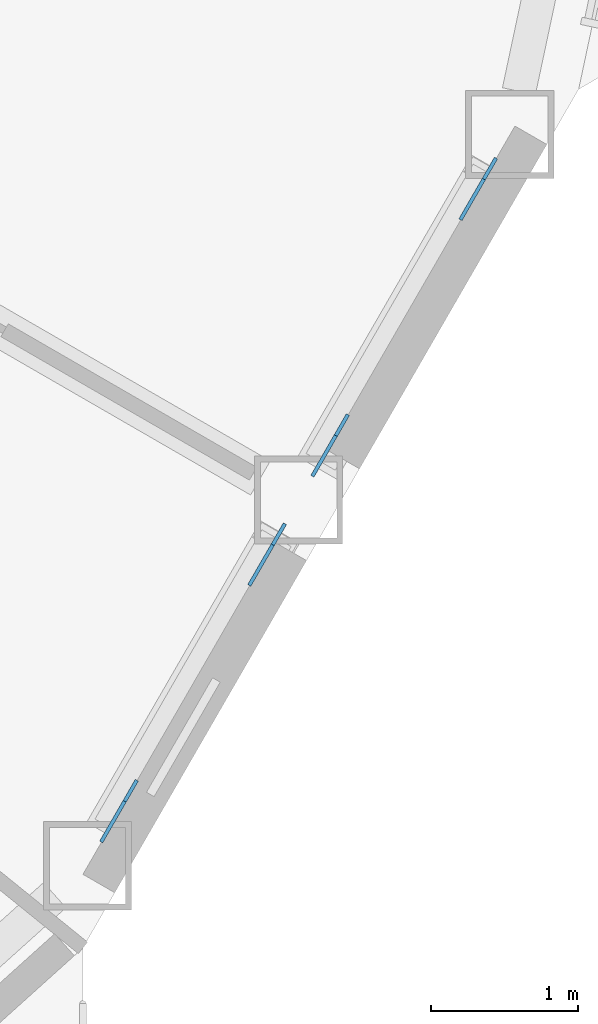
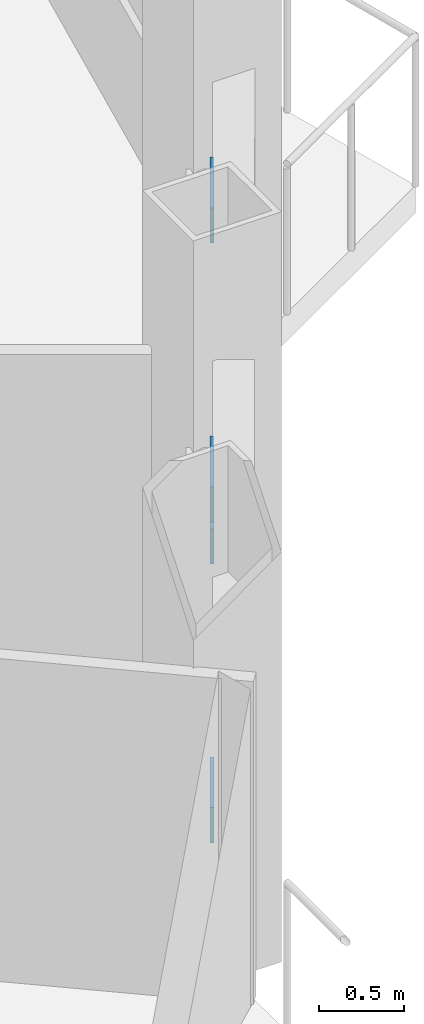
# One storey, part 21 of 27: 4 discrete accessories.
"""IFC4 building model written with IfcOpenShell, lengths in metres."""

import ifcopenshell
import ifcopenshell.guid

model = None  # the IFC model being written
_history = None  # IfcOwnerHistory: only IFC2X3 demands one
_inside = {}  # id of a spatial element -> (the spatial element, [elements in it])
_under = {}  # id of a project, library or spatial element -> (it, [spatial elements below it])
_declared = {}  # id of a project -> (the project, [libraries it declares])
_typed = {}  # id of a type object -> (the type object, [elements of that type])
_made_of = {}  # id of a material, layer set ... -> (it, [elements and type objects made of it])


def new_model(schema):
    """Start an empty IFC model of exactly this schema.

    Asked for "IFC4X3", IfcOpenShell would pick the latest addendum, in which some entities
    have other attributes; the version numbers below select the first issue.
    IFC2X3 requires an IfcOwnerHistory on every rooted entity: one is made here for all.
    """
    global model, _history
    if schema == "IFC4X3":
        model = ifcopenshell.file(schema_version=(4, 3, 0, 0))
    else:
        model = ifcopenshell.file(schema=schema)
    _inside.clear()
    _under.clear()
    _declared.clear()
    _typed.clear()
    _made_of.clear()
    _history = None
    if model.schema == "IFC2X3":
        org = make("IfcOrganization", Name="unknown")
        user = make(
            "IfcPersonAndOrganization",
            ThePerson=make("IfcPerson", FamilyName="unknown"),
            TheOrganization=org,
        )
        app = make(
            "IfcApplication",
            ApplicationDeveloper=org,
            Version="unknown",
            ApplicationFullName="unknown",
            ApplicationIdentifier="unknown",
        )
        _history = make(
            "IfcOwnerHistory",
            OwningUser=user,
            OwningApplication=app,
            ChangeAction="ADDED",
            CreationDate=0,
        )
    return model


def make(cls, **values):
    """One entity of the class cls with the attributes given. An attribute that is None is left unset."""
    return model.create_entity(
        cls, **{name: value for name, value in values.items() if value is not None}
    )


def rooted(cls, **values):
    """An entity with a GlobalId (a new one), such as an element, a storey or a relation."""
    return make(cls, GlobalId=ifcopenshell.guid.new(), OwnerHistory=_history, **values)


def si_unit(unit_type, name, prefix=None):
    """IfcSIUnit, for example si_unit("LENGTHUNIT", "METRE", prefix="MILLI")."""
    return make("IfcSIUnit", UnitType=unit_type, Prefix=prefix, Name=name)


def assignment(units):
    """IfcUnitAssignment: the units of a project."""
    return None if units is None else make("IfcUnitAssignment", Units=units)


def point(xyz):
    """IfcCartesianPoint."""
    return None if xyz is None else make("IfcCartesianPoint", Coordinates=xyz)


def direction(xyz):
    """IfcDirection."""
    return None if xyz is None else make("IfcDirection", DirectionRatios=xyz)


def frame(location, z_axis=None, x_axis=None):
    """IfcAxis2Placement3D, a coordinate frame: its origin and axes. An axis left out is left unset."""
    return make(
        "IfcAxis2Placement3D",
        Location=point(location),
        Axis=direction(z_axis),
        RefDirection=direction(x_axis),
    )


def frame_2d(location, x_axis=None):
    """IfcAxis2Placement2D, a coordinate frame in the plane: its origin and x axis."""
    return make(
        "IfcAxis2Placement2D", Location=point(location), RefDirection=direction(x_axis)
    )


def origin():
    """The frame at (0, 0, 0) with its axes left unset."""
    return frame((0.0, 0.0, 0.0))


def origin_2d():
    """The frame at (0, 0) in the plane with its x axis left unset."""
    return frame_2d((0.0, 0.0))


def place(relative_to, where):
    """IfcLocalPlacement: puts the frame where relative to a parent placement (None: the world)."""
    return make(
        "IfcLocalPlacement", PlacementRelTo=relative_to, RelativePlacement=where
    )


def context(
    kind, dimensions, precision=None, world=None, true_north=None, identifier=None
):
    """IfcGeometricRepresentationContext, for example the 3D "Model" context."""
    return make(
        "IfcGeometricRepresentationContext",
        ContextIdentifier=identifier,
        ContextType=kind,
        CoordinateSpaceDimension=dimensions,
        Precision=precision,
        WorldCoordinateSystem=world,
        TrueNorth=true_north,
    )


def subcontext(parent, identifier, kind, view, scale=None):
    """IfcGeometricRepresentationSubContext, for example "Body" below "Model"."""
    return make(
        "IfcGeometricRepresentationSubContext",
        ContextIdentifier=identifier,
        ContextType=kind,
        ParentContext=parent,
        TargetScale=scale,
        TargetView=view,
    )


def project(units=None, contexts=None):
    """IfcProject with its units and contexts."""
    return rooted(
        "IfcProject",
        Name="project",
        RepresentationContexts=contexts,
        UnitsInContext=assignment(units),
    )


def spatial(cls, under=None, at=None, **own):
    """A site, building, storey or space (cls), placed at a placement, below another one or the project."""
    s = rooted(cls, ObjectPlacement=at, **own)
    if under is not None:
        _under.setdefault(under.id(), (under, []))[1].append(s)
    return s


def profile(cls, at=None, kind="AREA", **sizes):
    """A parametric profile (cls). Its sizes go by their IFC names, for example OverallWidth=200.0."""
    return make(cls, ProfileType=kind, Position=at, **sizes)


def rectangle(**sizes):
    """IfcRectangleProfileDef."""
    return profile("IfcRectangleProfileDef", **sizes)


def extrude(swept, where, along, depth):
    """IfcExtrudedAreaSolid: the profile swept, set in the frame where, extruded along a direction by depth."""
    return make(
        "IfcExtrudedAreaSolid",
        SweptArea=swept,
        Position=where,
        ExtrudedDirection=direction(along),
        Depth=depth,
    )


def shape(context_of_items, identifier, shape_type, items):
    """IfcShapeRepresentation: the items that make up one representation, for example the "Body"."""
    return make(
        "IfcShapeRepresentation",
        ContextOfItems=context_of_items,
        RepresentationIdentifier=identifier,
        RepresentationType=shape_type,
        Items=items,
    )


def material(Name=None, Category=None):
    """IfcMaterial."""
    return make("IfcMaterial", Name=Name, Category=Category)


def material_profile(
    of_material, cross_section, Name=None, Category=None, Priority=None
):
    """IfcMaterialProfile: a cross section and its material."""
    return make(
        "IfcMaterialProfile",
        Name=Name,
        Material=of_material,
        Profile=cross_section,
        Priority=Priority,
        Category=Category,
    )


def profile_set(profiles, Name=None, composite=None):
    """IfcMaterialProfileSet."""
    return make(
        "IfcMaterialProfileSet",
        Name=Name,
        MaterialProfiles=profiles,
        CompositeProfile=composite,
    )


def made_of(thing, what):
    """Note that an element or type object is made of a material, layer set ...; save() writes the relation."""
    if what is not None:
        _made_of.setdefault(what.id(), (what, []))[1].append(thing)
    return thing


def type_object(cls, material=None, **own):
    """A type object (cls), such as IfcWallType, which elements share."""
    return made_of(rooted(cls, **own), material)


def element(
    cls,
    number,
    at=None,
    inside=None,
    cuts=None,
    type_object=None,
    material=None,
    context=None,
    identifier="Body",
    shape_type=None,
    held_by="IfcProductDefinitionShape",
    body=None,
    shapes=None,
    **own,
):
    """One element of the class cls, such as IfcWall. Its Tag is "e" and its number.

    at: its placement. inside: the storey or other place that contains it. cuts: it is an
    opening in that element (IfcRelVoidsElement). A single representation is given by context,
    identifier, shape_type and body (its items); several are given by shapes. held_by: the class
    of the entity that holds the representations. save() writes the other relations.
    """
    e = rooted(cls, Tag="e%d" % number, ObjectPlacement=at, **own)
    if body is not None:
        shapes = [shape(context, identifier, shape_type, body)]
    if shapes is not None:
        e.Representation = make(held_by, Representations=shapes)
    if inside is not None:
        _inside.setdefault(inside.id(), (inside, []))[1].append(e)
    if cuts is not None:
        rooted(
            "IfcRelVoidsElement", RelatingBuildingElement=cuts, RelatedOpeningElement=e
        )
    if type_object is not None:
        _typed.setdefault(type_object.id(), (type_object, []))[1].append(e)
    return made_of(e, material)


def aggregate(whole, parts):
    """IfcRelAggregates: a whole, such as a stair, and the parts it consists of."""
    return rooted("IfcRelAggregates", RelatingObject=whole, RelatedObjects=parts)


def save(model, path):
    """Write the relations noted so far, then the file.

    IfcRelAggregates (storeys below a building ...), IfcRelContainedInSpatialStructure (elements
    in a storey), IfcRelDefinesByType, IfcRelAssociatesMaterial and IfcRelDeclares: one each for
    every whole, place, type object, material and project.
    """
    for whole, parts in _under.values():
        aggregate(whole, parts)
    for where, things in _inside.values():
        rooted(
            "IfcRelContainedInSpatialStructure",
            RelatedElements=things,
            RelatingStructure=where,
        )
    for kind, things in _typed.values():
        rooted("IfcRelDefinesByType", RelatedObjects=things, RelatingType=kind)
    for what, things in _made_of.values():
        rooted("IfcRelAssociatesMaterial", RelatedObjects=things, RelatingMaterial=what)
    for by, libraries in _declared.values():
        rooted("IfcRelDeclares", RelatingContext=by, RelatedDefinitions=libraries)
    model.write(path)


model = new_model("IFC4")

# Units and contexts
model_context = context("Model", 3, precision=1e-05, world=origin(), true_north=direction((0.0, 1.0)))
body_context = subcontext(model_context, "Body", "Model", "MODEL_VIEW")
ifc_project = project(units=[si_unit("LENGTHUNIT", "METRE"), si_unit("AREAUNIT", "SQUARE_METRE"), si_unit("VOLUMEUNIT", "CUBIC_METRE"), si_unit("PLANEANGLEUNIT", "RADIAN"), si_unit("MASSUNIT", "GRAM", prefix="KILO")], contexts=[model_context])

# Site, building, storey
site_placement = place(None, origin())
site = spatial("IfcSite", under=ifc_project, at=site_placement, CompositionType="ELEMENT")
building_placement = place(site_placement, origin())
building = spatial("IfcBuilding", under=site, at=building_placement, Name="Cormorant Prow Tower", CompositionType="ELEMENT")
storey_placement = place(building_placement, frame((0.0, 0.0, 315.39990234375)))
storey = spatial("IfcBuildingStorey", under=building, at=storey_placement, Name="L69", CompositionType="ELEMENT", Elevation=315.39990234375)

# Discrete accessories
ifc_material = material(Name="Structural steel ASTM A500 Gr C", Category="steel")
ifc_material_profile = material_profile(ifc_material, rectangle(XDim=0.02490234375, YDim=0.405029296875, at=origin_2d()), Name="Gusset plate 25x405")
ifc_profile_set = profile_set([ifc_material_profile], Name="Structural steel ASTM A500 Gr C")
discrete_accessory_type = type_object("IfcDiscreteAccessoryType", Name="Gusset plate 25x405", PredefinedType="BRACKET", material=ifc_profile_set)
discrete_accessory_placement = place(storey_placement, frame((26.289794921875, -17.817138671875, 0.86376953125), z_axis=(-0.456791619277, -0.790144892581, -0.408671586101), x_axis=(0.865740004385, -0.50049400077, 0.0)))
element("IfcDiscreteAccessory", 1, at=discrete_accessory_placement, inside=storey, type_object=discrete_accessory_type, Name="Gusset plate GP3 L69.ESE00.g0", PredefinedType="BRACKET", context=body_context, shape_type="SweptSolid", body=[
    extrude(rectangle(XDim=0.02490234375, YDim=0.405029296875, at=origin_2d()), origin(), (0.0, 0.0, 1.0), 0.35009765625),
])
for number, where, z_axis, x_axis, name in (
    (2, (27.137939453125, -16.34765625, 1.624267578125), (0.45649114423, 0.790134518758, 0.409027233209), (-0.865879799044, 0.500252110048, 0.0), "Gusset plate GP3 L69.ESE00.g1"),
    (3, (27.7265625, -15.328369140625, 0.86376953125), (-0.456239480558, -0.790396531303, -0.408801736402), (0.866071029786, -0.499920965119, 0.0), "Gusset plate GP3 L69.ESE01.g0"),
    (4, (28.574951171875, -13.85888671875, 1.624267578125), (0.456239480558, 0.790396531303, 0.408801736402), (-0.866071029786, 0.499920965119, 0.0), "Gusset plate GP3 L69.ESE01.g1"),
):
    element("IfcDiscreteAccessory", number, at=place(storey_placement, frame(where, z_axis=z_axis, x_axis=x_axis)), inside=storey, type_object=discrete_accessory_type, Name=name, PredefinedType="BRACKET", context=body_context, shape_type="SweptSolid", body=[
        extrude(rectangle(XDim=0.02490234375, YDim=0.405029296875, at=origin_2d()), origin(), (0.0, 0.0, 1.0), 0.349853515625),
    ])

save(model, "model.ifc")
